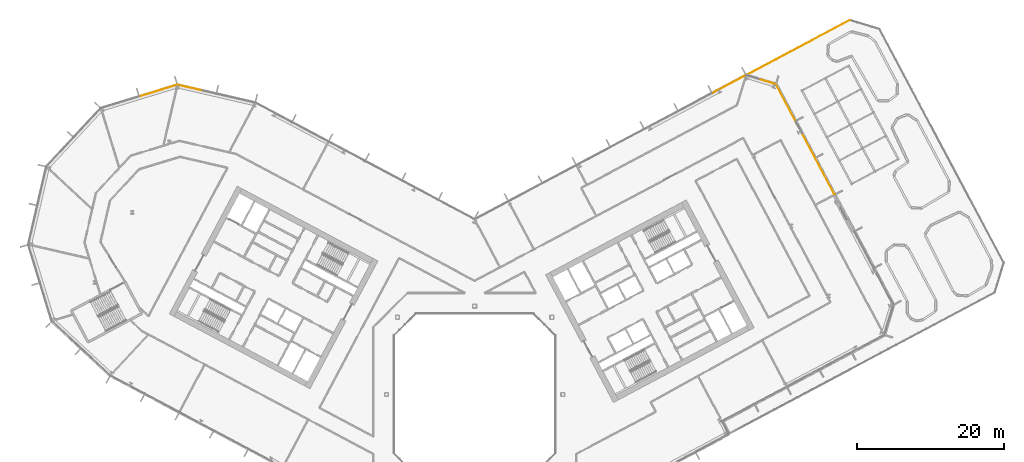
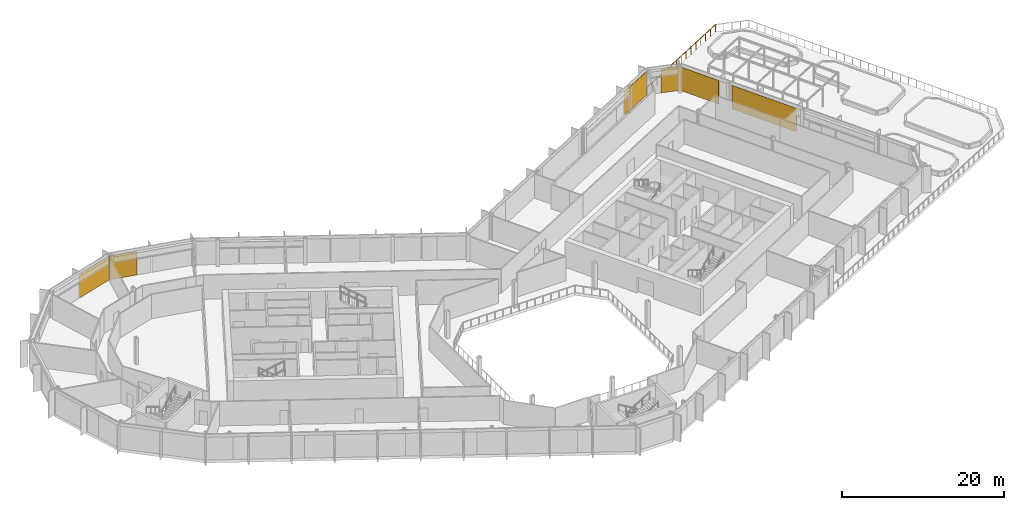
# One storey, part 34 of 34: 6 coverings, 1 railing, 5 elements without a shape of their own.
"""IFC4 building model written with IfcOpenShell, lengths in metres."""

from ifc_helpers import new_model, si_unit, direction, frame, origin, origin_2d, place, context, subcontext, project, spatial, polyline, rectangle, outline, extrude, material, layer, layer_set, type_object, element, aggregate, save


model = new_model("IFC4")

# Units and contexts
model_context = context("Model", 3, precision=1e-05, world=origin(), true_north=direction((0.0, 1.0)))
body_context = subcontext(model_context, "Body", "Model", "MODEL_VIEW")
ifc_project = project(units=[si_unit("LENGTHUNIT", "METRE"), si_unit("AREAUNIT", "SQUARE_METRE"), si_unit("VOLUMEUNIT", "CUBIC_METRE"), si_unit("PLANEANGLEUNIT", "RADIAN"), si_unit("MASSUNIT", "GRAM", prefix="KILO")], contexts=[model_context])

# Site, building, storey
site_placement = place(None, origin())
site = spatial("IfcSite", under=ifc_project, at=site_placement, CompositionType="ELEMENT")
building_placement = place(site_placement, origin())
building = spatial("IfcBuilding", under=site, at=building_placement, Name="Cormorant Relay Tower", CompositionType="ELEMENT")
storey_placement = place(building_placement, frame((0.0, 0.0, 118.199951171875)))
storey = spatial("IfcBuildingStorey", under=building, at=storey_placement, Name="L23", CompositionType="ELEMENT", Elevation=118.199951171875)

# Curtain wall, coverings
ifc_material_1 = material(Name="Aluminium 6063-T6 anodised bronze", Category="aluminium")
ifc_layer_1 = layer(ifc_material_1, 0.199951171875)
ifc_layer_set_1 = layer_set([ifc_layer_1], Name="CW1 unitised bronze curtain wall with vertical fins")
curtain_wall_type = type_object("IfcCurtainWallType", Name="CW1 unitised bronze curtain wall with vertical fins", PredefinedType="NOTDEFINED", material=ifc_layer_set_1)
curtain_wall_1_placement = place(storey_placement, origin())
curtain_wall_1 = element("IfcCurtainWall", 1, at=curtain_wall_1_placement, inside=storey, type_object=curtain_wall_type, Name="CW1 curtain wall 6", PredefinedType="NOTDEFINED")
ifc_material_2 = material(Name="Pale bronze anodised aluminium insulated panel", Category="aluminium")
ifc_layer_2 = layer(ifc_material_2, 0.0400390625)
ifc_layer_set_2 = layer_set([ifc_layer_2], Name="CW1 pale bronze insulated panel 40")
covering_type = type_object("IfcCoveringType", Name="CW1 pale bronze insulated panel 40", PredefinedType="CLADDING", material=ifc_layer_set_2)
covering_1_placement = place(storey_placement, frame((46.75537109375, 31.3916015625, 0.0), z_axis=(0.0, 0.0, 1.0), x_axis=(-0.469471562786, 0.882947592859, 0.0)))
covering_1 = element("IfcCovering", 2, at=covering_1_placement, type_object=covering_type, Name="CW1 panel S04", PredefinedType="CLADDING", context=body_context, shape_type="SweptSolid", body=[
    extrude(rectangle(XDim=9.38330078125, YDim=0.0400390625, at=origin_2d()), origin(), (0.0, 0.0, 1.0), 3.550048828125),
])
covering_2_placement = place(storey_placement, frame((42.32470703125, 39.724365234375, 0.0), z_axis=(0.0, 0.0, 1.0), x_axis=(-0.469471562786, 0.882947592859, 0.0)))
covering_2 = element("IfcCovering", 3, at=covering_2_placement, type_object=covering_type, Name="CW1 panel S06", PredefinedType="CLADDING", context=body_context, shape_type="SweptSolid", body=[
    extrude(rectangle(XDim=5.591796875, YDim=0.0400390625, at=origin_2d()), origin(), (0.0, 0.0, 1.0), 3.550048828125),
])
aggregate(curtain_wall_1, [covering_1, covering_2])

# Curtain wall, covering
curtain_wall_2_placement = place(storey_placement, origin())
curtain_wall_2 = element("IfcCurtainWall", 4, at=curtain_wall_2_placement, inside=storey, type_object=curtain_wall_type, Name="CW1 curtain wall 7", PredefinedType="NOTDEFINED")
covering_3_placement = place(storey_placement, frame((39.796630859375, 42.570556640625, 0.0), z_axis=(0.0, 0.0, 1.0), x_axis=(-0.956304755963, 0.292371704723, 0.0)))
covering_3 = element("IfcCovering", 5, at=covering_3_placement, type_object=covering_type, Name="CW1 panel S00", PredefinedType="CLADDING", context=body_context, shape_type="SweptSolid", body=[
    extrude(rectangle(XDim=2.36767578125, YDim=0.0400390625, at=origin_2d()), origin(), (0.0, 0.0, 1.0), 3.550048828125),
])
aggregate(curtain_wall_2, [covering_3])

curtain_wall_3_placement = place(storey_placement, origin())
curtain_wall_3 = element("IfcCurtainWall", 6, at=curtain_wall_3_placement, inside=storey, type_object=curtain_wall_type, Name="CW1 curtain wall 8", PredefinedType="NOTDEFINED")
covering_4_placement = place(storey_placement, frame((34.619384765625, 42.214111328125, 0.0), z_axis=(0.0, 0.0, 1.0), x_axis=(-0.882947592859, -0.469471562786, 0.0)))
covering_4 = element("IfcCovering", 7, at=covering_4_placement, type_object=covering_type, Name="CW1 panel S00", PredefinedType="CLADDING", context=body_context, shape_type="SweptSolid", body=[
    extrude(rectangle(XDim=5.079345703125, YDim=0.0400390625, at=origin_2d()), origin(), (0.0, 0.0, 1.0), 3.550048828125),
])
aggregate(curtain_wall_3, [covering_4])

curtain_wall_4_placement = place(storey_placement, origin())
curtain_wall_4 = element("IfcCurtainWall", 8, at=curtain_wall_4_placement, inside=storey, type_object=curtain_wall_type, Name="CW1 curtain wall 10", PredefinedType="NOTDEFINED")
covering_5_placement = place(storey_placement, frame((-38.7265625, 41.732421875, 0.0), z_axis=(0.0, 0.0, 1.0), x_axis=(-0.974370064785, 0.224951054344, 0.0)))
covering_5 = element("IfcCovering", 9, at=covering_5_placement, type_object=covering_type, Name="CW1 panel S02", PredefinedType="CLADDING", context=body_context, shape_type="SweptSolid", body=[
    extrude(rectangle(XDim=3.560302734375, YDim=0.0400390625, at=origin_2d()), origin(), (0.0, 0.0, 1.0), 3.550048828125),
])
aggregate(curtain_wall_4, [covering_5])

curtain_wall_5_placement = place(storey_placement, origin())
curtain_wall_5 = element("IfcCurtainWall", 10, at=curtain_wall_5_placement, inside=storey, type_object=curtain_wall_type, Name="CW1 curtain wall 11", PredefinedType="NOTDEFINED")
covering_6_placement = place(storey_placement, frame((-43.0703125, 41.337890625, 0.0), z_axis=(0.0, 0.0, 1.0), x_axis=(-0.956304755963, -0.292371704723, 0.0)))
covering_6 = element("IfcCovering", 11, at=covering_6_placement, type_object=covering_type, Name="CW1 panel S00", PredefinedType="CLADDING", context=body_context, shape_type="SweptSolid", body=[
    extrude(rectangle(XDim=5.28515625, YDim=0.0400390625, at=origin_2d()), origin(), (0.0, 0.0, 1.0), 3.550048828125),
])
aggregate(curtain_wall_5, [covering_6])

# Railing
ifc_material_3 = material(Name="Stainless steel guard with laminated glass infill", Category="steel")
railing_type = type_object("IfcRailingType", Name="Slab edge guard 1100", PredefinedType="GUARDRAIL", material=ifc_material_3)
railing_placement = place(storey_placement, frame((36.999755859375, 43.45703125, 0.0)))
element("IfcRailing", 12, at=railing_placement, inside=storey, type_object=railing_type, Name="Terrace guard L23", PredefinedType="GUARDRAIL", context=body_context, shape_type="SweptSolid", body=[
    extrude(outline(polyline([(0.022216796875, 0.00927734375), (0.00927734375, 0.022216796875), (-0.00927734375, 0.022216796875), (-0.022216796875, 0.00927734375), (-0.022216796875, -0.00927734375), (-0.00927734375, -0.022216796875), (0.00927734375, -0.022216796875), (0.022216796875, -0.00927734375), (0.022216796875, 0.00927734375)])), frame((0.0, 0.0, 1.076171875), z_axis=(0.882949172557, 0.469468591793, 0.0), x_axis=(-0.469468591793, 0.882949172557, 0.0)), (0.0, 0.0, 1.0), 15.92919921875),
    extrude(outline(polyline([(0.019287109375, 0.008056640625), (0.008056640625, 0.019287109375), (-0.008056640625, 0.019287109375), (-0.019287109375, 0.008056640625), (-0.019287109375, -0.008056640625), (-0.008056640625, -0.019287109375), (0.008056640625, -0.019287109375), (0.019287109375, -0.008056640625), (0.019287109375, 0.008056640625)])), origin(), (0.0, 0.0, 1.0), 1.052001953125),
    extrude(outline(polyline([(0.019287109375, 0.008056640625), (0.008056640625, 0.019287109375), (-0.008056640625, 0.019287109375), (-0.019287109375, 0.008056640625), (-0.019287109375, -0.008056640625), (-0.008056640625, -0.019287109375), (0.008056640625, -0.019287109375), (0.019287109375, -0.008056640625), (0.019287109375, 0.008056640625)])), frame((1.004638671875, 0.5341796875, 0.0)), (0.0, 0.0, 1.0), 1.052001953125),
    extrude(outline(polyline([(0.019287109375, 0.008056640625), (0.008056640625, 0.019287109375), (-0.008056640625, 0.019287109375), (-0.019287109375, 0.008056640625), (-0.019287109375, -0.008056640625), (-0.008056640625, -0.019287109375), (0.008056640625, -0.019287109375), (0.019287109375, -0.008056640625), (0.019287109375, 0.008056640625)])), frame((2.00927734375, 1.068359375, 0.0)), (0.0, 0.0, 1.0), 1.052001953125),
    extrude(outline(polyline([(0.019287109375, 0.008056640625), (0.008056640625, 0.019287109375), (-0.008056640625, 0.019287109375), (-0.019287109375, 0.008056640625), (-0.019287109375, -0.008056640625), (-0.008056640625, -0.019287109375), (0.008056640625, -0.019287109375), (0.019287109375, -0.008056640625), (0.019287109375, 0.008056640625)])), frame((3.013916015625, 1.6025390625, 0.0)), (0.0, 0.0, 1.0), 1.052001953125),
    extrude(outline(polyline([(0.019287109375, 0.008056640625), (0.008056640625, 0.019287109375), (-0.008056640625, 0.019287109375), (-0.019287109375, 0.008056640625), (-0.019287109375, -0.008056640625), (-0.008056640625, -0.019287109375), (0.008056640625, -0.019287109375), (0.019287109375, -0.008056640625), (0.019287109375, 0.008056640625)])), frame((4.0185546875, 2.13671875, 0.0)), (0.0, 0.0, 1.0), 1.052001953125),
    extrude(outline(polyline([(0.019287109375, 0.008056640625), (0.008056640625, 0.019287109375), (-0.008056640625, 0.019287109375), (-0.019287109375, 0.008056640625), (-0.019287109375, -0.008056640625), (-0.008056640625, -0.019287109375), (0.008056640625, -0.019287109375), (0.019287109375, -0.008056640625), (0.019287109375, 0.008056640625)])), frame((5.023193359375, 2.6708984375, 0.0)), (0.0, 0.0, 1.0), 1.052001953125),
    extrude(outline(polyline([(0.019287109375, 0.008056640625), (0.008056640625, 0.019287109375), (-0.008056640625, 0.019287109375), (-0.019287109375, 0.008056640625), (-0.019287109375, -0.008056640625), (-0.008056640625, -0.019287109375), (0.008056640625, -0.019287109375), (0.019287109375, -0.008056640625), (0.019287109375, 0.008056640625)])), frame((6.02783203125, 3.205078125, 0.0)), (0.0, 0.0, 1.0), 1.052001953125),
    extrude(outline(polyline([(0.019287109375, 0.008056640625), (0.008056640625, 0.019287109375), (-0.008056640625, 0.019287109375), (-0.019287109375, 0.008056640625), (-0.019287109375, -0.008056640625), (-0.008056640625, -0.019287109375), (0.008056640625, -0.019287109375), (0.019287109375, -0.008056640625), (0.019287109375, 0.008056640625)])), frame((7.0322265625, 3.7392578125, 0.0)), (0.0, 0.0, 1.0), 1.052001953125),
    extrude(outline(polyline([(0.019287109375, 0.008056640625), (0.008056640625, 0.019287109375), (-0.008056640625, 0.019287109375), (-0.019287109375, 0.008056640625), (-0.019287109375, -0.008056640625), (-0.008056640625, -0.019287109375), (0.008056640625, -0.019287109375), (0.019287109375, -0.008056640625), (0.019287109375, 0.008056640625)])), frame((8.036865234375, 4.273193359375, 0.0)), (0.0, 0.0, 1.0), 1.052001953125),
    extrude(outline(polyline([(0.019287109375, 0.008056640625), (0.008056640625, 0.019287109375), (-0.008056640625, 0.019287109375), (-0.019287109375, 0.008056640625), (-0.019287109375, -0.008056640625), (-0.008056640625, -0.019287109375), (0.008056640625, -0.019287109375), (0.019287109375, -0.008056640625), (0.019287109375, 0.008056640625)])), frame((9.04150390625, 4.807373046875, 0.0)), (0.0, 0.0, 1.0), 1.052001953125),
    extrude(outline(polyline([(0.019287109375, 0.008056640625), (0.008056640625, 0.019287109375), (-0.008056640625, 0.019287109375), (-0.019287109375, 0.008056640625), (-0.019287109375, -0.008056640625), (-0.008056640625, -0.019287109375), (0.008056640625, -0.019287109375), (0.019287109375, -0.008056640625), (0.019287109375, 0.008056640625)])), frame((10.046142578125, 5.341552734375, 0.0)), (0.0, 0.0, 1.0), 1.052001953125),
    extrude(outline(polyline([(0.019287109375, 0.008056640625), (0.008056640625, 0.019287109375), (-0.008056640625, 0.019287109375), (-0.019287109375, 0.008056640625), (-0.019287109375, -0.008056640625), (-0.008056640625, -0.019287109375), (0.008056640625, -0.019287109375), (0.019287109375, -0.008056640625), (0.019287109375, 0.008056640625)])), frame((11.05078125, 5.875732421875, 0.0)), (0.0, 0.0, 1.0), 1.052001953125),
    extrude(outline(polyline([(0.019287109375, 0.008056640625), (0.008056640625, 0.019287109375), (-0.008056640625, 0.019287109375), (-0.019287109375, 0.008056640625), (-0.019287109375, -0.008056640625), (-0.008056640625, -0.019287109375), (0.008056640625, -0.019287109375), (0.019287109375, -0.008056640625), (0.019287109375, 0.008056640625)])), frame((12.055419921875, 6.409912109375, 0.0)), (0.0, 0.0, 1.0), 1.052001953125),
    extrude(outline(polyline([(0.019287109375, 0.008056640625), (0.008056640625, 0.019287109375), (-0.008056640625, 0.019287109375), (-0.019287109375, 0.008056640625), (-0.019287109375, -0.008056640625), (-0.008056640625, -0.019287109375), (0.008056640625, -0.019287109375), (0.019287109375, -0.008056640625), (0.019287109375, 0.008056640625)])), frame((13.06005859375, 6.944091796875, 0.0)), (0.0, 0.0, 1.0), 1.052001953125),
    extrude(outline(polyline([(0.019287109375, 0.008056640625), (0.008056640625, 0.019287109375), (-0.008056640625, 0.019287109375), (-0.019287109375, 0.008056640625), (-0.019287109375, -0.008056640625), (-0.008056640625, -0.019287109375), (0.008056640625, -0.019287109375), (0.019287109375, -0.008056640625), (0.019287109375, 0.008056640625)])), frame((14.064697265625, 7.478271484375, 0.0)), (0.0, 0.0, 1.0), 1.052001953125),
])

save(model, "model.ifc")
